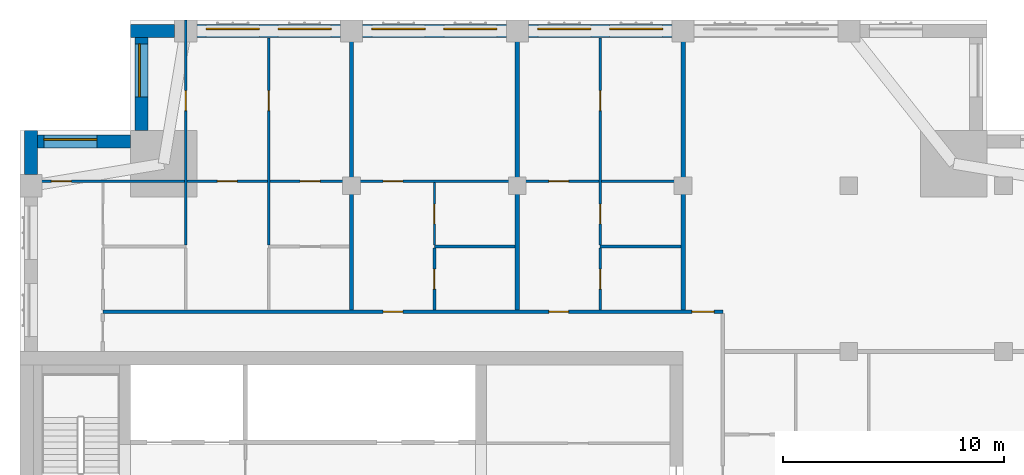
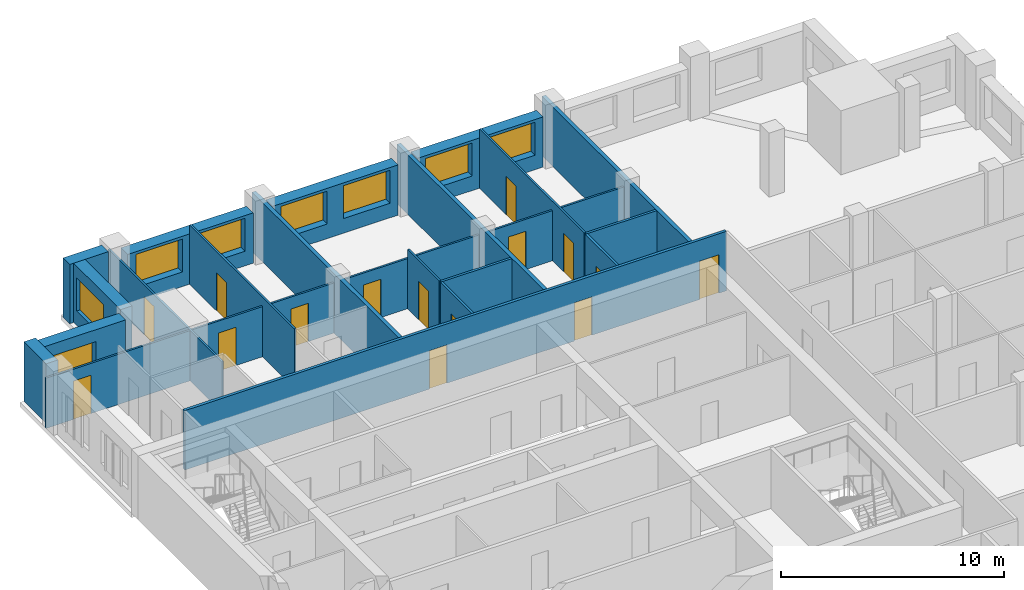
# One storey, part 7 of 11: 20 walls, 15 doors, 8 windows, 23 openings.
"""IFC4 building model written with IfcOpenShell, lengths in metres."""

from ifc_helpers import new_model, si_unit, direction, frame, frame_2d, origin, place, context, subcontext, project, spatial, rectangle, extrude, material, layer, layer_set, type_object, element, fill, save


model = new_model("IFC4")

# Units and contexts
model_context = context("Model", 3, precision=1e-05, world=origin(), true_north=direction((0.0, 1.0)))
body_context = subcontext(model_context, "Body", "Model", "MODEL_VIEW")
ifc_project = project(units=[si_unit("LENGTHUNIT", "METRE"), si_unit("AREAUNIT", "SQUARE_METRE"), si_unit("VOLUMEUNIT", "CUBIC_METRE"), si_unit("PLANEANGLEUNIT", "RADIAN"), si_unit("MASSUNIT", "GRAM", prefix="KILO")], contexts=[model_context])

# Site, building, storey
site_placement = place(None, origin())
site = spatial("IfcSite", under=ifc_project, at=site_placement, CompositionType="ELEMENT")
building_placement = place(site_placement, origin())
building = spatial("IfcBuilding", under=site, at=building_placement, Name="Tamorin Gate", CompositionType="ELEMENT")
storey_placement = place(building_placement, frame((0.0, 0.0, 240.699951171875)))
storey = spatial("IfcBuildingStorey", under=building, at=storey_placement, Name="L60", CompositionType="ELEMENT", Elevation=240.699951171875)

# Wall, openings, windows
ifc_material_1 = material(Name="Precast concrete C40/50", Category="concrete")
ifc_layer_1 = layer(ifc_material_1, 0.60009765625)
ifc_layer_set_1 = layer_set([ifc_layer_1], Name="Precast concrete C40/50")
wall_type_1 = type_object("IfcWallType", Name="Board-marked concrete facade panel 600", PredefinedType="SOLIDWALL", material=ifc_layer_set_1)
wall_1_placement = place(storey_placement, frame((59.5, 97.0, 0.0), z_axis=(0.0, 0.0, 1.0), x_axis=(-1.0, 0.0, 0.0)))
wall_1 = element("IfcWall", 1, at=wall_1_placement, inside=storey, type_object=wall_type_1, Name="Facade panel", PredefinedType="SOLIDWALL", context=body_context, shape_type="SweptSolid", body=[
    extrude(rectangle(XDim=6.5, YDim=0.60009765625, at=frame_2d((3.25, 0.0))), origin(), (0.0, 0.0, 1.0), 2.75),
])
opening_1_placement = place(wall_1_placement, frame((3.675048828125, 0.0, 0.800048828125)))
opening_1 = element("IfcOpeningElement", 2, at=opening_1_placement, cuts=wall_1, Name="Opening WN1", PredefinedType="OPENING", context=body_context, shape_type="SweptSolid", body=[
    extrude(rectangle(XDim=2.39990234375, YDim=1.800048828125, at=frame_2d((1.199951171875, 0.89990234375))), frame((0.0, 0.31005859375, 0.0), z_axis=(0.0, -1.0, 0.0), x_axis=(1.0, 0.0, 0.0)), (0.0, 0.0, 1.0), 0.6201171875),
])
opening_2_placement = place(wall_1_placement, frame((0.425048828125, 0.0, 0.800048828125)))
opening_2 = element("IfcOpeningElement", 3, at=opening_2_placement, cuts=wall_1, Name="Opening WN1", PredefinedType="OPENING", context=body_context, shape_type="SweptSolid", body=[
    extrude(rectangle(XDim=2.39990234375, YDim=1.800048828125, at=frame_2d((1.199951171875, 0.89990234375))), frame((0.0, 0.31005859375, 0.0), z_axis=(0.0, -1.0, 0.0), x_axis=(1.0, 0.0, 0.0)), (0.0, 0.0, 1.0), 0.6201171875),
])
ifc_material_2 = material(Name="Clear glass in aluminium frame", Category="aluminium")
window_type = type_object("IfcWindowType", Name="Deep-set window 2400x1800", PartitioningType="SINGLE_PANEL", PredefinedType="WINDOW", material=ifc_material_2)
window_1_placement = place(opening_1_placement, origin())
window_1 = element("IfcWindow", 4, at=window_1_placement, inside=storey, type_object=window_type, Name="Deep-set window", OverallHeight=1.800048828125, OverallWidth=2.39990234375, PartitioningType="SINGLE_PANEL", PredefinedType="WINDOW", context=body_context, shape_type="SweptSolid", body=[
    extrude(rectangle(XDim=2.39990234375, YDim=1.800048828125, at=frame_2d((1.199951171875, 0.89990234375))), frame((0.0, -0.070068359375, 0.0), z_axis=(0.0, -1.0, 0.0), x_axis=(1.0, 0.0, 0.0)), (0.0, 0.0, 1.0), 0.06005859375),
])
fill(opening_1, window_1)
window_2_placement = place(opening_2_placement, origin())
window_2 = element("IfcWindow", 5, at=window_2_placement, inside=storey, type_object=window_type, Name="Deep-set window", OverallHeight=1.800048828125, OverallWidth=2.39990234375, PartitioningType="SINGLE_PANEL", PredefinedType="WINDOW", context=body_context, shape_type="SweptSolid", body=[
    extrude(rectangle(XDim=2.39990234375, YDim=1.800048828125, at=frame_2d((1.199951171875, 0.89990234375))), frame((0.0, -0.070068359375, 0.0), z_axis=(0.0, -1.0, 0.0), x_axis=(1.0, 0.0, 0.0)), (0.0, 0.0, 1.0), 0.06005859375),
])
fill(opening_2, window_2)

wall_2_placement = place(storey_placement, frame((52.0, 97.0, 0.0), z_axis=(0.0, 0.0, 1.0), x_axis=(-1.0, 0.0, 0.0)))
wall_2 = element("IfcWall", 6, at=wall_2_placement, inside=storey, type_object=wall_type_1, Name="Facade panel", PredefinedType="SOLIDWALL", context=body_context, shape_type="SweptSolid", body=[
    extrude(rectangle(XDim=6.5, YDim=0.60009765625, at=frame_2d((3.25, 0.0))), origin(), (0.0, 0.0, 1.0), 2.75),
])
opening_3_placement = place(wall_2_placement, frame((3.675048828125, 0.0, 0.800048828125)))
opening_3 = element("IfcOpeningElement", 7, at=opening_3_placement, cuts=wall_2, Name="Opening WN1", PredefinedType="OPENING", context=body_context, shape_type="SweptSolid", body=[
    extrude(rectangle(XDim=2.39990234375, YDim=1.800048828125, at=frame_2d((1.199951171875, 0.89990234375))), frame((0.0, 0.31005859375, 0.0), z_axis=(0.0, -1.0, 0.0), x_axis=(1.0, 0.0, 0.0)), (0.0, 0.0, 1.0), 0.6201171875),
])
opening_4_placement = place(wall_2_placement, frame((0.425048828125, 0.0, 0.800048828125)))
opening_4 = element("IfcOpeningElement", 8, at=opening_4_placement, cuts=wall_2, Name="Opening WN1", PredefinedType="OPENING", context=body_context, shape_type="SweptSolid", body=[
    extrude(rectangle(XDim=2.39990234375, YDim=1.800048828125, at=frame_2d((1.199951171875, 0.89990234375))), frame((0.0, 0.31005859375, 0.0), z_axis=(0.0, -1.0, 0.0), x_axis=(1.0, 0.0, 0.0)), (0.0, 0.0, 1.0), 0.6201171875),
])
window_3_placement = place(opening_3_placement, origin())
window_3 = element("IfcWindow", 9, at=window_3_placement, inside=storey, type_object=window_type, Name="Deep-set window", OverallHeight=1.800048828125, OverallWidth=2.39990234375, PartitioningType="SINGLE_PANEL", PredefinedType="WINDOW", context=body_context, shape_type="SweptSolid", body=[
    extrude(rectangle(XDim=2.39990234375, YDim=1.800048828125, at=frame_2d((1.199951171875, 0.89990234375))), frame((0.0, -0.070068359375, 0.0), z_axis=(0.0, -1.0, 0.0), x_axis=(1.0, 0.0, 0.0)), (0.0, 0.0, 1.0), 0.06005859375),
])
fill(opening_3, window_3)
window_4_placement = place(opening_4_placement, origin())
window_4 = element("IfcWindow", 10, at=window_4_placement, inside=storey, type_object=window_type, Name="Deep-set window", OverallHeight=1.800048828125, OverallWidth=2.39990234375, PartitioningType="SINGLE_PANEL", PredefinedType="WINDOW", context=body_context, shape_type="SweptSolid", body=[
    extrude(rectangle(XDim=2.39990234375, YDim=1.800048828125, at=frame_2d((1.199951171875, 0.89990234375))), frame((0.0, -0.070068359375, 0.0), z_axis=(0.0, -1.0, 0.0), x_axis=(1.0, 0.0, 0.0)), (0.0, 0.0, 1.0), 0.06005859375),
])
fill(opening_4, window_4)

wall_3_placement = place(storey_placement, frame((44.5, 97.0, 0.0), z_axis=(0.0, 0.0, 1.0), x_axis=(-1.0, 0.0, 0.0)))
wall_3 = element("IfcWall", 11, at=wall_3_placement, inside=storey, type_object=wall_type_1, Name="Facade panel", PredefinedType="SOLIDWALL", context=body_context, shape_type="SweptSolid", body=[
    extrude(rectangle(XDim=6.5, YDim=0.60009765625, at=frame_2d((3.25, 0.0))), origin(), (0.0, 0.0, 1.0), 2.75),
])
opening_5_placement = place(wall_3_placement, frame((3.675048828125, 0.0, 0.800048828125)))
opening_5 = element("IfcOpeningElement", 12, at=opening_5_placement, cuts=wall_3, Name="Opening WN1", PredefinedType="OPENING", context=body_context, shape_type="SweptSolid", body=[
    extrude(rectangle(XDim=2.39990234375, YDim=1.800048828125, at=frame_2d((1.199951171875, 0.89990234375))), frame((0.0, 0.31005859375, 0.0), z_axis=(0.0, -1.0, 0.0), x_axis=(1.0, 0.0, 0.0)), (0.0, 0.0, 1.0), 0.6201171875),
])
opening_6_placement = place(wall_3_placement, frame((0.425048828125, 0.0, 0.800048828125)))
opening_6 = element("IfcOpeningElement", 13, at=opening_6_placement, cuts=wall_3, Name="Opening WN1", PredefinedType="OPENING", context=body_context, shape_type="SweptSolid", body=[
    extrude(rectangle(XDim=2.39990234375, YDim=1.800048828125, at=frame_2d((1.199951171875, 0.89990234375))), frame((0.0, 0.31005859375, 0.0), z_axis=(0.0, -1.0, 0.0), x_axis=(1.0, 0.0, 0.0)), (0.0, 0.0, 1.0), 0.6201171875),
])
window_5_placement = place(opening_5_placement, origin())
window_5 = element("IfcWindow", 14, at=window_5_placement, inside=storey, type_object=window_type, Name="Deep-set window", OverallHeight=1.800048828125, OverallWidth=2.39990234375, PartitioningType="SINGLE_PANEL", PredefinedType="WINDOW", context=body_context, shape_type="SweptSolid", body=[
    extrude(rectangle(XDim=2.39990234375, YDim=1.800048828125, at=frame_2d((1.199951171875, 0.89990234375))), frame((0.0, -0.070068359375, 0.0), z_axis=(0.0, -1.0, 0.0), x_axis=(1.0, 0.0, 0.0)), (0.0, 0.0, 1.0), 0.06005859375),
])
fill(opening_5, window_5)
window_6_placement = place(opening_6_placement, origin())
window_6 = element("IfcWindow", 15, at=window_6_placement, inside=storey, type_object=window_type, Name="Deep-set window", OverallHeight=1.800048828125, OverallWidth=2.39990234375, PartitioningType="SINGLE_PANEL", PredefinedType="WINDOW", context=body_context, shape_type="SweptSolid", body=[
    extrude(rectangle(XDim=2.39990234375, YDim=1.800048828125, at=frame_2d((1.199951171875, 0.89990234375))), frame((0.0, -0.070068359375, 0.0), z_axis=(0.0, -1.0, 0.0), x_axis=(1.0, 0.0, 0.0)), (0.0, 0.0, 1.0), 0.06005859375),
])
fill(opening_6, window_6)

# Wall
wall_4_placement = place(storey_placement, frame((37.0, 97.0, 0.0), z_axis=(0.0, 0.0, 1.0), x_axis=(-1.0, 0.0, 0.0)))
element("IfcWall", 16, at=wall_4_placement, inside=storey, type_object=wall_type_1, Name="Facade panel", PredefinedType="SOLIDWALL", context=body_context, shape_type="SweptSolid", body=[
    extrude(rectangle(XDim=2.0, YDim=0.60009765625, at=frame_2d((1.0, 0.0))), origin(), (0.0, 0.0, 1.0), 3.25),
])

# Wall, opening, window
wall_5_placement = place(storey_placement, frame((35.5, 96.699951171875, 0.0), z_axis=(0.0, 0.0, 1.0), x_axis=(0.0, -1.0, 0.0)))
wall_5 = element("IfcWall", 17, at=wall_5_placement, inside=storey, type_object=wall_type_1, Name="Facade panel", PredefinedType="SOLIDWALL", context=body_context, shape_type="SweptSolid", body=[
    extrude(rectangle(XDim=4.199951171875, YDim=0.60009765625, at=frame_2d((2.10009765625, 0.0))), origin(), (0.0, 0.0, 1.0), 3.25),
])
opening_7_placement = place(wall_5_placement, frame((0.27490234375, 0.0, 0.800048828125)))
opening_7 = element("IfcOpeningElement", 18, at=opening_7_placement, cuts=wall_5, Name="Opening WN1", PredefinedType="OPENING", context=body_context, shape_type="SweptSolid", body=[
    extrude(rectangle(XDim=2.39990234375, YDim=1.800048828125, at=frame_2d((1.199951171875, 0.89990234375))), frame((0.0, 0.31005859375, 0.0), z_axis=(0.0, -1.0, 0.0), x_axis=(1.0, 0.0, 0.0)), (0.0, 0.0, 1.0), 0.6201171875),
])
window_7_placement = place(opening_7_placement, origin())
window_7 = element("IfcWindow", 19, at=window_7_placement, inside=storey, type_object=window_type, Name="Deep-set window", OverallHeight=1.800048828125, OverallWidth=2.39990234375, PartitioningType="SINGLE_PANEL", PredefinedType="WINDOW", context=body_context, shape_type="SweptSolid", body=[
    extrude(rectangle(XDim=2.39990234375, YDim=1.800048828125, at=frame_2d((1.199951171875, 0.89990234375))), frame((0.0, -0.070068359375, 0.0), z_axis=(0.0, -1.0, 0.0), x_axis=(1.0, 0.0, 0.0)), (0.0, 0.0, 1.0), 0.06005859375),
])
fill(opening_7, window_7)

wall_6_placement = place(storey_placement, frame((35.0, 92.0, 0.0), z_axis=(0.0, 0.0, 1.0), x_axis=(-1.0, 0.0, 0.0)))
wall_6 = element("IfcWall", 20, at=wall_6_placement, inside=storey, type_object=wall_type_1, Name="Facade panel", PredefinedType="SOLIDWALL", context=body_context, shape_type="SweptSolid", body=[
    extrude(rectangle(XDim=4.199951171875, YDim=0.60009765625, at=frame_2d((2.10009765625, 0.0))), origin(), (0.0, 0.0, 1.0), 3.25),
])
opening_8_placement = place(wall_6_placement, frame((1.52490234375, 0.0, 0.800048828125)))
opening_8 = element("IfcOpeningElement", 21, at=opening_8_placement, cuts=wall_6, Name="Opening WN1", PredefinedType="OPENING", context=body_context, shape_type="SweptSolid", body=[
    extrude(rectangle(XDim=2.39990234375, YDim=1.800048828125, at=frame_2d((1.199951171875, 0.89990234375))), frame((0.0, 0.31005859375, 0.0), z_axis=(0.0, -1.0, 0.0), x_axis=(1.0, 0.0, 0.0)), (0.0, 0.0, 1.0), 0.6201171875),
])
window_8_placement = place(opening_8_placement, origin())
window_8 = element("IfcWindow", 22, at=window_8_placement, inside=storey, type_object=window_type, Name="Deep-set window", OverallHeight=1.800048828125, OverallWidth=2.39990234375, PartitioningType="SINGLE_PANEL", PredefinedType="WINDOW", context=body_context, shape_type="SweptSolid", body=[
    extrude(rectangle(XDim=2.39990234375, YDim=1.800048828125, at=frame_2d((1.199951171875, 0.89990234375))), frame((0.0, -0.070068359375, 0.0), z_axis=(0.0, -1.0, 0.0), x_axis=(1.0, 0.0, 0.0)), (0.0, 0.0, 1.0), 0.06005859375),
])
fill(opening_8, window_8)

# Wall
wall_7_placement = place(storey_placement, frame((30.5, 92.5, 0.0), z_axis=(0.0, 0.0, 1.0), x_axis=(0.0, -1.0, 0.0)))
element("IfcWall", 23, at=wall_7_placement, inside=storey, type_object=wall_type_1, Name="Facade panel", PredefinedType="SOLIDWALL", context=body_context, shape_type="SweptSolid", body=[
    extrude(rectangle(XDim=2.0, YDim=0.60009765625, at=frame_2d((1.0, 0.0))), origin(), (0.0, 0.0, 1.0), 3.25),
])

# Wall, openings, doors
ifc_material_3 = material(Name="Gypsum board partition")
ifc_layer_2 = layer(ifc_material_3, 0.14990234375)
ifc_layer_set_2 = layer_set([ifc_layer_2], Name="Corridor wall 150")
wall_type_2 = type_object("IfcWallType", Name="Corridor wall 150", PredefinedType="PARTITIONING", material=ifc_layer_set_2)
wall_8_placement = place(storey_placement, frame((33.75, 84.300048828125, 0.0), z_axis=(0.0, 0.0, 1.0), x_axis=(1.0, 0.0, 0.0)))
wall_8 = element("IfcWall", 24, at=wall_8_placement, inside=storey, type_object=wall_type_2, Name="Corridor wall 150", PredefinedType="PARTITIONING", context=body_context, shape_type="SweptSolid", body=[
    extrude(rectangle(XDim=28.050048828125, YDim=0.14990234375, at=frame_2d((14.02490234375, 0.0))), origin(), (0.0, 0.0, 1.0), 3.25),
])
opening_9_placement = place(wall_8_placement, frame((12.675048828125, 0.0, 0.0)))
opening_9 = element("IfcOpeningElement", 25, at=opening_9_placement, cuts=wall_8, Name="Opening DR6034", PredefinedType="OPENING", context=body_context, shape_type="SweptSolid", body=[
    extrude(rectangle(XDim=0.89990234375, YDim=2.10009765625, at=frame_2d((0.449951171875, 1.050048828125))), frame((0.0, 0.0849609375, 0.0), z_axis=(0.0, -1.0, 0.0), x_axis=(1.0, 0.0, 0.0)), (0.0, 0.0, 1.0), 0.169921875),
])
opening_10_placement = place(wall_8_placement, frame((20.175048828125, 0.0, 0.0)))
opening_10 = element("IfcOpeningElement", 26, at=opening_10_placement, cuts=wall_8, Name="Opening DR6038", PredefinedType="OPENING", context=body_context, shape_type="SweptSolid", body=[
    extrude(rectangle(XDim=0.89990234375, YDim=2.10009765625, at=frame_2d((0.449951171875, 1.050048828125))), frame((0.0, 0.0849609375, 0.0), z_axis=(0.0, -1.0, 0.0), x_axis=(1.0, 0.0, 0.0)), (0.0, 0.0, 1.0), 0.169921875),
])
opening_11_placement = place(wall_8_placement, frame((26.64990234375, 0.0, 0.0)))
opening_11 = element("IfcOpeningElement", 27, at=opening_11_placement, cuts=wall_8, Name="Opening DR6043", PredefinedType="OPENING", context=body_context, shape_type="SweptSolid", body=[
    extrude(rectangle(XDim=1.0, YDim=2.10009765625, at=frame_2d((0.5, 1.050048828125))), frame((0.0, 0.0849609375, 0.0), z_axis=(0.0, -1.0, 0.0), x_axis=(1.0, 0.0, 0.0)), (0.0, 0.0, 1.0), 0.169921875),
])
ifc_material_4 = material(Name="Timber door leaf", Category="wood")
door_type_1 = type_object("IfcDoorType", Name="Door 1000 x 2100 FD30S", OperationType="NOTDEFINED", PredefinedType="DOOR", material=ifc_material_4)
door_1_placement = place(opening_11_placement, origin())
door_1 = element("IfcDoor", 28, at=door_1_placement, inside=storey, type_object=door_type_1, Name="Door DR6043", OperationType="SINGLE_SWING_LEFT", OverallHeight=2.10009765625, OverallWidth=1.0, PredefinedType="DOOR", context=body_context, shape_type="SweptSolid", body=[
    extrude(rectangle(XDim=1.0, YDim=2.10009765625, at=frame_2d((0.5, 1.050048828125))), frame((0.0, 0.02490234375, 0.0), z_axis=(0.0, -1.0, 0.0), x_axis=(1.0, 0.0, 0.0)), (0.0, 0.0, 1.0), 0.050048828125),
])
fill(opening_11, door_1)
door_type_2 = type_object("IfcDoorType", Name="Door 900 x 2100 FD30S", OperationType="NOTDEFINED", PredefinedType="DOOR", material=ifc_material_4)
door_2_placement = place(opening_9_placement, origin())
door_2 = element("IfcDoor", 29, at=door_2_placement, inside=storey, type_object=door_type_2, Name="Door DR6034", OperationType="SINGLE_SWING_LEFT", OverallHeight=2.10009765625, OverallWidth=0.89990234375, PredefinedType="DOOR", context=body_context, shape_type="SweptSolid", body=[
    extrude(rectangle(XDim=0.89990234375, YDim=2.10009765625, at=frame_2d((0.449951171875, 1.050048828125))), frame((0.0, 0.02490234375, 0.0), z_axis=(0.0, -1.0, 0.0), x_axis=(1.0, 0.0, 0.0)), (0.0, 0.0, 1.0), 0.050048828125),
])
fill(opening_9, door_2)
door_3_placement = place(opening_10_placement, origin())
door_3 = element("IfcDoor", 30, at=door_3_placement, inside=storey, type_object=door_type_2, Name="Door DR6038", OperationType="SINGLE_SWING_LEFT", OverallHeight=2.10009765625, OverallWidth=0.89990234375, PredefinedType="DOOR", context=body_context, shape_type="SweptSolid", body=[
    extrude(rectangle(XDim=0.89990234375, YDim=2.10009765625, at=frame_2d((0.449951171875, 1.050048828125))), frame((0.0, 0.02490234375, 0.0), z_axis=(0.0, -1.0, 0.0), x_axis=(1.0, 0.0, 0.0)), (0.0, 0.0, 1.0), 0.050048828125),
])
fill(opening_10, door_3)

# Walls
ifc_layer_3 = layer(ifc_material_3, 0.199951171875)
ifc_layer_set_3 = layer_set([ifc_layer_3], Name="Demising wall 200")
wall_type_3 = type_object("IfcWallType", Name="Demising wall 200", PredefinedType="PARTITIONING", material=ifc_layer_set_3)
for number, where, z_axis, x_axis, name in (
    (31, (45.0, 84.375, 0.0), (0.0, 0.0, 1.0), (0.0, 1.0, 0.0), "Demising wall 200"),
    (32, (52.5, 84.375, 0.0), (0.0, 0.0, 1.0), (0.0, 1.0, 0.0), "Demising wall 200"),
    (33, (60.0, 84.375, 0.0), (0.0, 0.0, 1.0), (0.0, 1.0, 0.0), "Demising wall 200"),
):
    element("IfcWall", number, at=place(storey_placement, frame(where, z_axis=z_axis, x_axis=x_axis)), inside=storey, type_object=wall_type_3, Name=name, PredefinedType="PARTITIONING", context=body_context, shape_type="SweptSolid", body=[
        extrude(rectangle(XDim=13.125, YDim=0.199951171875, at=frame_2d((6.5625, 0.0))), origin(), (0.0, 0.0, 1.0), 3.25),
    ])

# Wall, openings, doors
ifc_layer_4 = layer(ifc_material_3, 0.10009765625)
ifc_layer_set_4 = layer_set([ifc_layer_4], Name="Room partition 100")
wall_type_4 = type_object("IfcWallType", Name="Room partition 100", PredefinedType="PARTITIONING", material=ifc_layer_set_4)
wall_9_placement = place(storey_placement, frame((30.0, 90.199951171875, 0.0), z_axis=(0.0, 0.0, 1.0), x_axis=(1.0, 0.0, 0.0)))
wall_9 = element("IfcWall", 34, at=wall_9_placement, inside=storey, type_object=wall_type_4, Name="Room partition 100", PredefinedType="PARTITIONING", context=body_context, shape_type="SweptSolid", body=[
    extrude(rectangle(XDim=29.89990234375, YDim=0.10009765625, at=frame_2d((14.949951171875, 0.0))), origin(), (0.0, 0.0, 1.0), 2.75),
])
opening_12_placement = place(wall_9_placement, frame((1.425048828125, 0.0, 0.0)))
opening_12 = element("IfcOpeningElement", 35, at=opening_12_placement, cuts=wall_9, Name="Opening DR6026", PredefinedType="OPENING", context=body_context, shape_type="SweptSolid", body=[
    extrude(rectangle(XDim=0.89990234375, YDim=2.10009765625, at=frame_2d((0.449951171875, 1.050048828125))), frame((0.0, 0.06005859375, 0.0), z_axis=(0.0, -1.0, 0.0), x_axis=(1.0, 0.0, 0.0)), (0.0, 0.0, 1.0), 0.1201171875),
])
opening_13_placement = place(wall_9_placement, frame((8.925048828125, 0.0, 0.0)))
opening_13 = element("IfcOpeningElement", 36, at=opening_13_placement, cuts=wall_9, Name="Opening DR6029", PredefinedType="OPENING", context=body_context, shape_type="SweptSolid", body=[
    extrude(rectangle(XDim=0.89990234375, YDim=2.10009765625, at=frame_2d((0.449951171875, 1.050048828125))), frame((0.0, 0.06005859375, 0.0), z_axis=(0.0, -1.0, 0.0), x_axis=(1.0, 0.0, 0.0)), (0.0, 0.0, 1.0), 0.1201171875),
])
opening_14_placement = place(wall_9_placement, frame((12.675048828125, 0.0, 0.0)))
opening_14 = element("IfcOpeningElement", 37, at=opening_14_placement, cuts=wall_9, Name="Opening DR6030", PredefinedType="OPENING", context=body_context, shape_type="SweptSolid", body=[
    extrude(rectangle(XDim=0.89990234375, YDim=2.10009765625, at=frame_2d((0.449951171875, 1.050048828125))), frame((0.0, 0.06005859375, 0.0), z_axis=(0.0, -1.0, 0.0), x_axis=(1.0, 0.0, 0.0)), (0.0, 0.0, 1.0), 0.1201171875),
])
opening_15_placement = place(wall_9_placement, frame((16.425048828125, 0.0, 0.0)))
opening_15 = element("IfcOpeningElement", 38, at=opening_15_placement, cuts=wall_9, Name="Opening DR6035", PredefinedType="OPENING", context=body_context, shape_type="SweptSolid", body=[
    extrude(rectangle(XDim=0.89990234375, YDim=2.10009765625, at=frame_2d((0.449951171875, 1.050048828125))), frame((0.0, 0.06005859375, 0.0), z_axis=(0.0, -1.0, 0.0), x_axis=(1.0, 0.0, 0.0)), (0.0, 0.0, 1.0), 0.1201171875),
])
opening_16_placement = place(wall_9_placement, frame((23.925048828125, 0.0, 0.0)))
opening_16 = element("IfcOpeningElement", 39, at=opening_16_placement, cuts=wall_9, Name="Opening DR6039", PredefinedType="OPENING", context=body_context, shape_type="SweptSolid", body=[
    extrude(rectangle(XDim=0.89990234375, YDim=2.10009765625, at=frame_2d((0.449951171875, 1.050048828125))), frame((0.0, 0.06005859375, 0.0), z_axis=(0.0, -1.0, 0.0), x_axis=(1.0, 0.0, 0.0)), (0.0, 0.0, 1.0), 0.1201171875),
])
door_type_3 = type_object("IfcDoorType", Name="Door 900 x 2100", OperationType="NOTDEFINED", PredefinedType="DOOR", material=ifc_material_4)
door_4_placement = place(opening_12_placement, origin())
door_4 = element("IfcDoor", 40, at=door_4_placement, inside=storey, type_object=door_type_3, Name="Door DR6026", OperationType="SINGLE_SWING_RIGHT", OverallHeight=2.10009765625, OverallWidth=0.89990234375, PredefinedType="DOOR", context=body_context, shape_type="SweptSolid", body=[
    extrude(rectangle(XDim=0.89990234375, YDim=2.10009765625, at=frame_2d((0.449951171875, 1.050048828125))), frame((0.0, 0.02490234375, 0.0), z_axis=(0.0, -1.0, 0.0), x_axis=(1.0, 0.0, 0.0)), (0.0, 0.0, 1.0), 0.050048828125),
])
fill(opening_12, door_4)
door_5_placement = place(opening_13_placement, origin())
door_5 = element("IfcDoor", 41, at=door_5_placement, inside=storey, type_object=door_type_3, Name="Door DR6029", OperationType="SINGLE_SWING_RIGHT", OverallHeight=2.10009765625, OverallWidth=0.89990234375, PredefinedType="DOOR", context=body_context, shape_type="SweptSolid", body=[
    extrude(rectangle(XDim=0.89990234375, YDim=2.10009765625, at=frame_2d((0.449951171875, 1.050048828125))), frame((0.0, 0.02490234375, 0.0), z_axis=(0.0, -1.0, 0.0), x_axis=(1.0, 0.0, 0.0)), (0.0, 0.0, 1.0), 0.050048828125),
])
fill(opening_13, door_5)
door_6_placement = place(opening_14_placement, origin())
door_6 = element("IfcDoor", 42, at=door_6_placement, inside=storey, type_object=door_type_3, Name="Door DR6030", OperationType="SINGLE_SWING_RIGHT", OverallHeight=2.10009765625, OverallWidth=0.89990234375, PredefinedType="DOOR", context=body_context, shape_type="SweptSolid", body=[
    extrude(rectangle(XDim=0.89990234375, YDim=2.10009765625, at=frame_2d((0.449951171875, 1.050048828125))), frame((0.0, 0.02490234375, 0.0), z_axis=(0.0, -1.0, 0.0), x_axis=(1.0, 0.0, 0.0)), (0.0, 0.0, 1.0), 0.050048828125),
])
fill(opening_14, door_6)
door_7_placement = place(opening_15_placement, origin())
door_7 = element("IfcDoor", 43, at=door_7_placement, inside=storey, type_object=door_type_3, Name="Door DR6035", OperationType="SINGLE_SWING_RIGHT", OverallHeight=2.10009765625, OverallWidth=0.89990234375, PredefinedType="DOOR", context=body_context, shape_type="SweptSolid", body=[
    extrude(rectangle(XDim=0.89990234375, YDim=2.10009765625, at=frame_2d((0.449951171875, 1.050048828125))), frame((0.0, 0.02490234375, 0.0), z_axis=(0.0, -1.0, 0.0), x_axis=(1.0, 0.0, 0.0)), (0.0, 0.0, 1.0), 0.050048828125),
])
fill(opening_15, door_7)
door_8_placement = place(opening_16_placement, origin())
door_8 = element("IfcDoor", 44, at=door_8_placement, inside=storey, type_object=door_type_3, Name="Door DR6039", OperationType="SINGLE_SWING_RIGHT", OverallHeight=2.10009765625, OverallWidth=0.89990234375, PredefinedType="DOOR", context=body_context, shape_type="SweptSolid", body=[
    extrude(rectangle(XDim=0.89990234375, YDim=2.10009765625, at=frame_2d((0.449951171875, 1.050048828125))), frame((0.0, 0.02490234375, 0.0), z_axis=(0.0, -1.0, 0.0), x_axis=(1.0, 0.0, 0.0)), (0.0, 0.0, 1.0), 0.050048828125),
])
fill(opening_16, door_8)

# Wall, opening, door
wall_10_placement = place(storey_placement, frame((37.5, 87.3125, 0.0), z_axis=(0.0, 0.0, 1.0), x_axis=(0.0, 1.0, 0.0)))
wall_10 = element("IfcWall", 45, at=wall_10_placement, inside=storey, type_object=wall_type_4, Name="Room partition 100", PredefinedType="PARTITIONING", context=body_context, shape_type="SweptSolid", body=[
    extrude(rectangle(XDim=10.1875, YDim=0.10009765625, at=frame_2d((5.09375, 0.0))), origin(), (0.0, 0.0, 1.0), 2.75),
])
opening_17_placement = place(wall_10_placement, frame((6.08740234375, 0.0, 0.0)))
opening_17 = element("IfcOpeningElement", 46, at=opening_17_placement, cuts=wall_10, Name="Opening DR6032", PredefinedType="OPENING", context=body_context, shape_type="SweptSolid", body=[
    extrude(rectangle(XDim=0.89990234375, YDim=2.10009765625, at=frame_2d((0.449951171875, 1.050048828125))), frame((0.0, 0.06005859375, 0.0), z_axis=(0.0, -1.0, 0.0), x_axis=(1.0, 0.0, 0.0)), (0.0, 0.0, 1.0), 0.1201171875),
])
door_9_placement = place(opening_17_placement, origin())
door_9 = element("IfcDoor", 47, at=door_9_placement, inside=storey, type_object=door_type_3, Name="Door DR6032", OperationType="SINGLE_SWING_LEFT", OverallHeight=2.10009765625, OverallWidth=0.89990234375, PredefinedType="DOOR", context=body_context, shape_type="SweptSolid", body=[
    extrude(rectangle(XDim=0.89990234375, YDim=2.10009765625, at=frame_2d((0.449951171875, 1.050048828125))), frame((0.0, 0.02490234375, 0.0), z_axis=(0.0, -1.0, 0.0), x_axis=(1.0, 0.0, 0.0)), (0.0, 0.0, 1.0), 0.050048828125),
])
fill(opening_17, door_9)

wall_11_placement = place(storey_placement, frame((41.25, 87.3125, 0.0), z_axis=(0.0, 0.0, 1.0), x_axis=(0.0, 1.0, 0.0)))
wall_11 = element("IfcWall", 48, at=wall_11_placement, inside=storey, type_object=wall_type_4, Name="Room partition 100", PredefinedType="PARTITIONING", context=body_context, shape_type="SweptSolid", body=[
    extrude(rectangle(XDim=9.37744140625, YDim=0.10009765625, at=frame_2d((4.688720703125, 0.0))), origin(), (0.0, 0.0, 1.0), 3.25),
])
opening_18_placement = place(wall_11_placement, frame((6.08740234375, 0.0, 0.0)))
opening_18 = element("IfcOpeningElement", 49, at=opening_18_placement, cuts=wall_11, Name="Opening DR6033", PredefinedType="OPENING", context=body_context, shape_type="SweptSolid", body=[
    extrude(rectangle(XDim=0.89990234375, YDim=2.10009765625, at=frame_2d((0.449951171875, 1.050048828125))), frame((0.0, 0.06005859375, 0.0), z_axis=(0.0, -1.0, 0.0), x_axis=(1.0, 0.0, 0.0)), (0.0, 0.0, 1.0), 0.1201171875),
])
door_10_placement = place(opening_18_placement, origin())
door_10 = element("IfcDoor", 50, at=door_10_placement, inside=storey, type_object=door_type_3, Name="Door DR6033", OperationType="SINGLE_SWING_LEFT", OverallHeight=2.10009765625, OverallWidth=0.89990234375, PredefinedType="DOOR", context=body_context, shape_type="SweptSolid", body=[
    extrude(rectangle(XDim=0.89990234375, YDim=2.10009765625, at=frame_2d((0.449951171875, 1.050048828125))), frame((0.0, 0.02490234375, 0.0), z_axis=(0.0, -1.0, 0.0), x_axis=(1.0, 0.0, 0.0)), (0.0, 0.0, 1.0), 0.050048828125),
])
fill(opening_18, door_10)

wall_12_placement = place(storey_placement, frame((48.75, 87.3125, 0.0), z_axis=(0.0, 0.0, 1.0), x_axis=(0.0, 1.0, 0.0)))
wall_12 = element("IfcWall", 51, at=wall_12_placement, inside=storey, type_object=wall_type_4, Name="Room partition 100", PredefinedType="PARTITIONING", context=body_context, shape_type="SweptSolid", body=[
    extrude(rectangle(XDim=2.83740234375, YDim=0.10009765625, at=frame_2d((1.418701171875, 0.0))), origin(), (0.0, 0.0, 1.0), 3.25),
])
opening_19_placement = place(wall_12_placement, frame((0.96240234375, 0.0, 0.0)))
opening_19 = element("IfcOpeningElement", 52, at=opening_19_placement, cuts=wall_12, Name="Opening DR6036", PredefinedType="OPENING", context=body_context, shape_type="SweptSolid", body=[
    extrude(rectangle(XDim=0.89990234375, YDim=2.10009765625, at=frame_2d((0.449951171875, 1.050048828125))), frame((0.0, 0.06005859375, 0.0), z_axis=(0.0, -1.0, 0.0), x_axis=(1.0, 0.0, 0.0)), (0.0, 0.0, 1.0), 0.1201171875),
])
door_11_placement = place(opening_19_placement, origin())
door_11 = element("IfcDoor", 53, at=door_11_placement, inside=storey, type_object=door_type_3, Name="Door DR6036", OperationType="SINGLE_SWING_RIGHT", OverallHeight=2.10009765625, OverallWidth=0.89990234375, PredefinedType="DOOR", context=body_context, shape_type="SweptSolid", body=[
    extrude(rectangle(XDim=0.89990234375, YDim=2.10009765625, at=frame_2d((0.449951171875, 1.050048828125))), frame((0.0, 0.02490234375, 0.0), z_axis=(0.0, -1.0, 0.0), x_axis=(1.0, 0.0, 0.0)), (0.0, 0.0, 1.0), 0.050048828125),
])
fill(opening_19, door_11)

# Wall, openings, doors
wall_13_placement = place(storey_placement, frame((56.25, 87.3125, 0.0), z_axis=(0.0, 0.0, 1.0), x_axis=(0.0, 1.0, 0.0)))
wall_13 = element("IfcWall", 54, at=wall_13_placement, inside=storey, type_object=wall_type_4, Name="Room partition 100", PredefinedType="PARTITIONING", context=body_context, shape_type="SweptSolid", body=[
    extrude(rectangle(XDim=9.37744140625, YDim=0.10009765625, at=frame_2d((4.688720703125, 0.0))), origin(), (0.0, 0.0, 1.0), 3.25),
])
opening_20_placement = place(wall_13_placement, frame((0.96240234375, 0.0, 0.0)))
opening_20 = element("IfcOpeningElement", 55, at=opening_20_placement, cuts=wall_13, Name="Opening DR6040", PredefinedType="OPENING", context=body_context, shape_type="SweptSolid", body=[
    extrude(rectangle(XDim=0.89990234375, YDim=2.10009765625, at=frame_2d((0.449951171875, 1.050048828125))), frame((0.0, 0.06005859375, 0.0), z_axis=(0.0, -1.0, 0.0), x_axis=(1.0, 0.0, 0.0)), (0.0, 0.0, 1.0), 0.1201171875),
])
opening_21_placement = place(wall_13_placement, frame((6.08740234375, 0.0, 0.0)))
opening_21 = element("IfcOpeningElement", 56, at=opening_21_placement, cuts=wall_13, Name="Opening DR6042", PredefinedType="OPENING", context=body_context, shape_type="SweptSolid", body=[
    extrude(rectangle(XDim=0.89990234375, YDim=2.10009765625, at=frame_2d((0.449951171875, 1.050048828125))), frame((0.0, 0.06005859375, 0.0), z_axis=(0.0, -1.0, 0.0), x_axis=(1.0, 0.0, 0.0)), (0.0, 0.0, 1.0), 0.1201171875),
])
door_12_placement = place(opening_20_placement, origin())
door_12 = element("IfcDoor", 57, at=door_12_placement, inside=storey, type_object=door_type_3, Name="Door DR6040", OperationType="SINGLE_SWING_RIGHT", OverallHeight=2.10009765625, OverallWidth=0.89990234375, PredefinedType="DOOR", context=body_context, shape_type="SweptSolid", body=[
    extrude(rectangle(XDim=0.89990234375, YDim=2.10009765625, at=frame_2d((0.449951171875, 1.050048828125))), frame((0.0, 0.02490234375, 0.0), z_axis=(0.0, -1.0, 0.0), x_axis=(1.0, 0.0, 0.0)), (0.0, 0.0, 1.0), 0.050048828125),
])
fill(opening_20, door_12)
door_13_placement = place(opening_21_placement, origin())
door_13 = element("IfcDoor", 58, at=door_13_placement, inside=storey, type_object=door_type_3, Name="Door DR6042", OperationType="SINGLE_SWING_LEFT", OverallHeight=2.10009765625, OverallWidth=0.89990234375, PredefinedType="DOOR", context=body_context, shape_type="SweptSolid", body=[
    extrude(rectangle(XDim=0.89990234375, YDim=2.10009765625, at=frame_2d((0.449951171875, 1.050048828125))), frame((0.0, 0.02490234375, 0.0), z_axis=(0.0, -1.0, 0.0), x_axis=(1.0, 0.0, 0.0)), (0.0, 0.0, 1.0), 0.050048828125),
])
fill(opening_21, door_13)

# Walls
ifc_layer_5 = layer(ifc_material_3, 0.125)
ifc_layer_set_5 = layer_set([ifc_layer_5], Name="Wet wall 125")
wall_type_5 = type_object("IfcWallType", Name="Wet wall 125", PredefinedType="PARTITIONING", material=ifc_layer_set_5)
for number, where, z_axis, x_axis, name in (
    (59, (48.75, 87.25, 0.0), (0.0, 0.0, 1.0), (1.0, 0.0, 0.0), "Wet wall 125"),
    (60, (56.25, 87.25, 0.0), (0.0, 0.0, 1.0), (1.0, 0.0, 0.0), "Wet wall 125"),
):
    element("IfcWall", number, at=place(storey_placement, frame(where, z_axis=z_axis, x_axis=x_axis)), inside=storey, type_object=wall_type_5, Name=name, PredefinedType="PARTITIONING", context=body_context, shape_type="SweptSolid", body=[
        extrude(rectangle(XDim=3.64990234375, YDim=0.125, at=frame_2d((1.824951171875, 0.0))), origin(), (0.0, 0.0, 1.0), 3.25),
    ])

# Wall, opening, door
wall_14_placement = place(storey_placement, frame((48.75, 84.375, 0.0), z_axis=(0.0, 0.0, 1.0), x_axis=(0.0, 1.0, 0.0)))
wall_14 = element("IfcWall", 61, at=wall_14_placement, inside=storey, type_object=wall_type_5, Name="Wet wall 125", PredefinedType="PARTITIONING", context=body_context, shape_type="SweptSolid", body=[
    extrude(rectangle(XDim=2.8125, YDim=0.125, at=frame_2d((1.40625, 0.0))), origin(), (0.0, 0.0, 1.0), 3.25),
])
opening_22_placement = place(wall_14_placement, frame((0.949951171875, 0.0, 0.0)))
opening_22 = element("IfcOpeningElement", 62, at=opening_22_placement, cuts=wall_14, Name="Opening DR6037", PredefinedType="OPENING", context=body_context, shape_type="SweptSolid", body=[
    extrude(rectangle(XDim=0.89990234375, YDim=2.10009765625, at=frame_2d((0.449951171875, 1.050048828125))), frame((0.0, 0.072509765625, 0.0), z_axis=(0.0, -1.0, 0.0), x_axis=(1.0, 0.0, 0.0)), (0.0, 0.0, 1.0), 0.14501953125),
])
door_14_placement = place(opening_22_placement, origin())
door_14 = element("IfcDoor", 63, at=door_14_placement, inside=storey, type_object=door_type_3, Name="Door DR6037", OperationType="SINGLE_SWING_RIGHT", OverallHeight=2.10009765625, OverallWidth=0.89990234375, PredefinedType="DOOR", context=body_context, shape_type="SweptSolid", body=[
    extrude(rectangle(XDim=0.89990234375, YDim=2.10009765625, at=frame_2d((0.449951171875, 1.050048828125))), frame((0.0, 0.02490234375, 0.0), z_axis=(0.0, -1.0, 0.0), x_axis=(1.0, 0.0, 0.0)), (0.0, 0.0, 1.0), 0.050048828125),
])
fill(opening_22, door_14)

wall_15_placement = place(storey_placement, frame((56.25, 84.375, 0.0), z_axis=(0.0, 0.0, 1.0), x_axis=(0.0, 1.0, 0.0)))
wall_15 = element("IfcWall", 64, at=wall_15_placement, inside=storey, type_object=wall_type_5, Name="Wet wall 125", PredefinedType="PARTITIONING", context=body_context, shape_type="SweptSolid", body=[
    extrude(rectangle(XDim=2.8125, YDim=0.125, at=frame_2d((1.40625, 0.0))), origin(), (0.0, 0.0, 1.0), 3.25),
])
opening_23_placement = place(wall_15_placement, frame((0.949951171875, 0.0, 0.0)))
opening_23 = element("IfcOpeningElement", 65, at=opening_23_placement, cuts=wall_15, Name="Opening DR6041", PredefinedType="OPENING", context=body_context, shape_type="SweptSolid", body=[
    extrude(rectangle(XDim=0.89990234375, YDim=2.10009765625, at=frame_2d((0.449951171875, 1.050048828125))), frame((0.0, 0.072509765625, 0.0), z_axis=(0.0, -1.0, 0.0), x_axis=(1.0, 0.0, 0.0)), (0.0, 0.0, 1.0), 0.14501953125),
])
door_15_placement = place(opening_23_placement, origin())
door_15 = element("IfcDoor", 66, at=door_15_placement, inside=storey, type_object=door_type_3, Name="Door DR6041", OperationType="SINGLE_SWING_RIGHT", OverallHeight=2.10009765625, OverallWidth=0.89990234375, PredefinedType="DOOR", context=body_context, shape_type="SweptSolid", body=[
    extrude(rectangle(XDim=0.89990234375, YDim=2.10009765625, at=frame_2d((0.449951171875, 1.050048828125))), frame((0.0, 0.02490234375, 0.0), z_axis=(0.0, -1.0, 0.0), x_axis=(1.0, 0.0, 0.0)), (0.0, 0.0, 1.0), 0.050048828125),
])
fill(opening_23, door_15)

save(model, "model.ifc")
